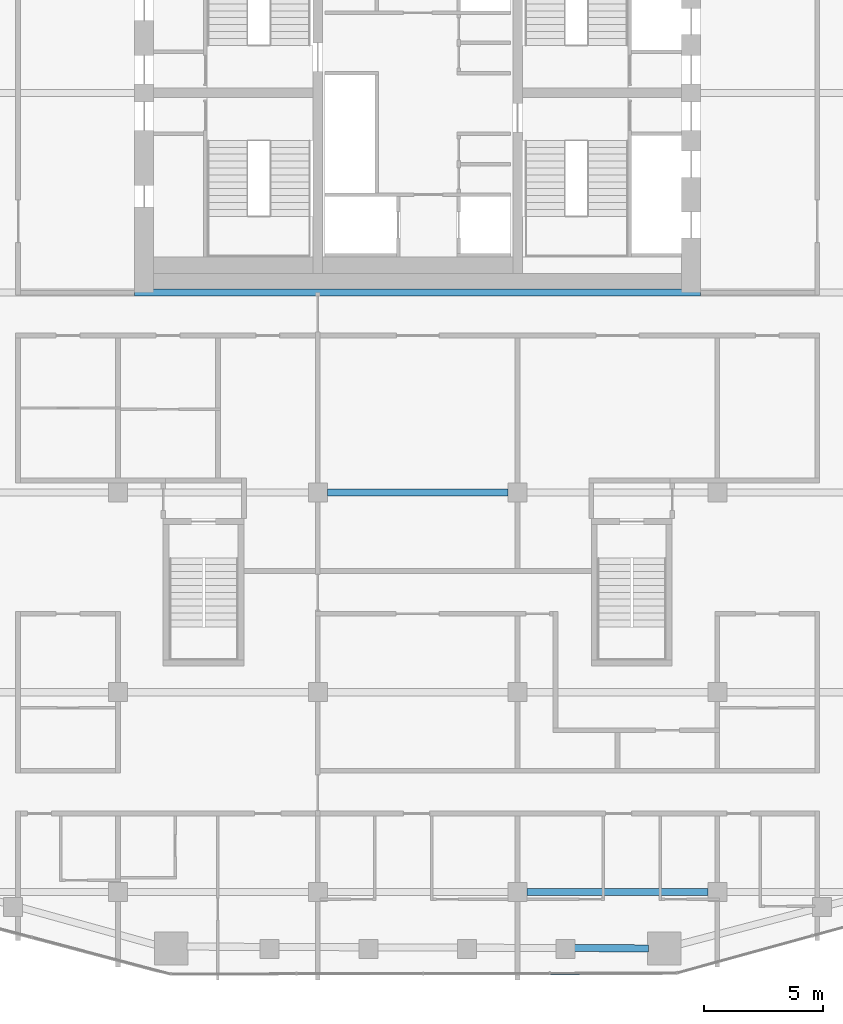
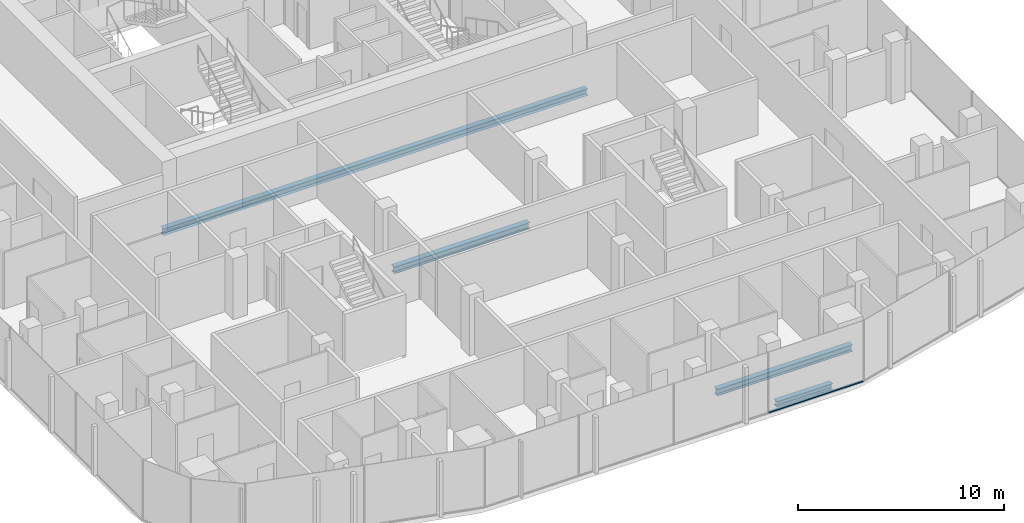
# One storey, part 5 of 21: 4 beams, 1 member, 1 element without a shape of its own.
"""IFC4 building model written with IfcOpenShell, lengths in metres."""

from ifc_helpers import new_model, si_unit, direction, frame, origin, origin_2d, place, context, subcontext, project, spatial, rectangle, i_section, extrude, material, layer, layer_set, material_profile, profile_set, type_object, element, aggregate, save


model = new_model("IFC4")

# Units and contexts
model_context = context("Model", 3, precision=1e-05, world=origin(), true_north=direction((0.0, 1.0)))
body_context = subcontext(model_context, "Body", "Model", "MODEL_VIEW")
ifc_project = project(units=[si_unit("LENGTHUNIT", "METRE"), si_unit("AREAUNIT", "SQUARE_METRE"), si_unit("VOLUMEUNIT", "CUBIC_METRE"), si_unit("PLANEANGLEUNIT", "RADIAN"), si_unit("MASSUNIT", "GRAM", prefix="KILO")], contexts=[model_context])

# Site, building, storey
site_placement = place(None, origin())
site = spatial("IfcSite", under=ifc_project, at=site_placement, CompositionType="ELEMENT")
building_placement = place(site_placement, origin())
building = spatial("IfcBuilding", under=site, at=building_placement, Name="Marenta Gate Hotel Tower", CompositionType="ELEMENT")
storey_placement = place(building_placement, frame((0.0, 0.0, 202.10009765625)))
storey = spatial("IfcBuildingStorey", under=building, at=storey_placement, Name="L46", CompositionType="ELEMENT", Elevation=202.10009765625)

# Beams
ifc_material_1 = material(Name="Steel S355", Category="steel")
ifc_material_profile_1 = material_profile(ifc_material_1, i_section(OverallWidth=0.300048828125, OverallDepth=0.340087890625, WebThickness=0.011962890625, FlangeThickness=0.021484375, FilletRadius=0.027099609375, at=origin_2d()), Name="HEB 340")
ifc_profile_set_1 = profile_set([ifc_material_profile_1], Name="Steel S355")
beam_type_1 = type_object("IfcBeamType", Name="Edge beam HEB 340", PredefinedType="SPANDREL", material=ifc_profile_set_1)
beam_1_placement = place(storey_placement, frame((9.706298828125, -27.570068359375, -0.43017578125), z_axis=(-0.999992678531, 0.003826602206, 0.0), x_axis=(-0.003826602206, -0.999992678531, 0.0)))
element("IfcBeam", 1, at=beam_1_placement, inside=storey, type_object=beam_type_1, Name="L46-EB-32", PredefinedType="SPANDREL", context=body_context, shape_type="SweptSolid", body=[
    extrude(i_section(OverallWidth=0.300048828125, OverallDepth=0.340087890625, WebThickness=0.011962890625, FlangeThickness=0.021484375, FilletRadius=0.027099609375, at=origin_2d()), origin(), (0.0, 0.0, 1.0), 3.126220703125),
])
ifc_material_2 = material(Name="Steel S355", Category="steel")
ifc_material_profile_2 = material_profile(ifc_material_2, i_section(OverallWidth=0.300048828125, OverallDepth=0.39990234375, WebThickness=0.013427734375, FlangeThickness=0.02392578125, FilletRadius=0.027099609375, at=origin_2d()), Name="HEB 400")
ifc_profile_set_2 = profile_set([ifc_material_profile_2], Name="Steel S355")
beam_type_2 = type_object("IfcBeamType", Name="Girder HEB 400", PredefinedType="BEAM", material=ifc_profile_set_2)
beam_2_placement = place(storey_placement, frame((4.60009765625, -25.199951171875, -0.460205078125), z_axis=(1.0, 0.0, 0.0), x_axis=(0.0, 1.0, 0.0)))
element("IfcBeam", 2, at=beam_2_placement, inside=storey, type_object=beam_type_2, Name="L46-GD-4", PredefinedType="BEAM", context=body_context, shape_type="SweptSolid", body=[
    extrude(i_section(OverallWidth=0.300048828125, OverallDepth=0.39990234375, WebThickness=0.013427734375, FlangeThickness=0.02392578125, FilletRadius=0.027099609375, at=origin_2d()), origin(), (0.0, 0.0, 1.0), 7.599853515625),
])
beam_3_placement = place(storey_placement, frame((-3.800048828125, -8.39990234375, -0.460205078125), z_axis=(1.0, 0.0, 0.0), x_axis=(0.0, 1.0, 0.0)))
element("IfcBeam", 3, at=beam_3_placement, inside=storey, type_object=beam_type_2, Name="L46-GD-16", PredefinedType="BEAM", context=body_context, shape_type="SweptSolid", body=[
    extrude(i_section(OverallWidth=0.300048828125, OverallDepth=0.39990234375, WebThickness=0.013427734375, FlangeThickness=0.02392578125, FilletRadius=0.027099609375, at=origin_2d()), origin(), (0.0, 0.0, 1.0), 7.60009765625),
])
beam_4_placement = place(storey_placement, frame((-11.89990234375, 0.0, -0.460205078125), z_axis=(1.0, 0.0, 0.0), x_axis=(0.0, 1.0, 0.0)))
element("IfcBeam", 4, at=beam_4_placement, inside=storey, type_object=beam_type_2, Name="L46-GD-22", PredefinedType="BEAM", context=body_context, shape_type="SweptSolid", body=[
    extrude(i_section(OverallWidth=0.300048828125, OverallDepth=0.39990234375, WebThickness=0.013427734375, FlangeThickness=0.02392578125, FilletRadius=0.027099609375, at=origin_2d()), origin(), (0.0, 0.0, 1.0), 23.7998046875),
])

# Curtain wall, member
ifc_material_3 = material(Name="Tinted insulated glass in bronze anodised frame", Category="glass")
ifc_layer = layer(ifc_material_3, 0.1201171875)
ifc_layer_set = layer_set([ifc_layer], Name="Tinted insulated glass in bronze anodised frame")
curtain_wall_type = type_object("IfcCurtainWallType", Name="Tower unitised curtain wall CW1", PredefinedType="NOTDEFINED", material=ifc_layer_set)
curtain_wall_placement = place(storey_placement, origin())
curtain_wall = element("IfcCurtainWall", 5, at=curtain_wall_placement, inside=storey, type_object=curtain_wall_type, Name="CW1 run G07", PredefinedType="NOTDEFINED")
ifc_material_4 = material(Name="Bronze anodised aluminium", Category="aluminium")
ifc_material_profile_3 = material_profile(ifc_material_4, rectangle(XDim=0.1201171875, YDim=0.06005859375, at=origin_2d()), Name="Transom CW1 60x120 bronze anodised aluminium")
ifc_profile_set_3 = profile_set([ifc_material_profile_3], Name="Bronze anodised aluminium")
member_type = type_object("IfcMemberType", Name="Transom CW1 60x120 bronze anodised aluminium", PredefinedType="USERDEFINED", material=ifc_profile_set_3)
member_placement = place(storey_placement, frame((5.583740234375, -28.62109375, 0.02978515625), z_axis=(0.999998695429, 0.001615283106, 0.0), x_axis=(-0.001615283106, 0.999998695429, 0.0)))
member = element("IfcMember", 6, at=member_placement, type_object=member_type, Name="CW1 transom 4.1", ObjectType="TRANSOM", PredefinedType="USERDEFINED", context=body_context, shape_type="SweptSolid", body=[
    extrude(rectangle(XDim=0.1201171875, YDim=0.06005859375, at=origin_2d()), origin(), (0.0, 0.0, 1.0), 5.2900390625),
])
aggregate(curtain_wall, [member])

save(model, "model.ifc")
